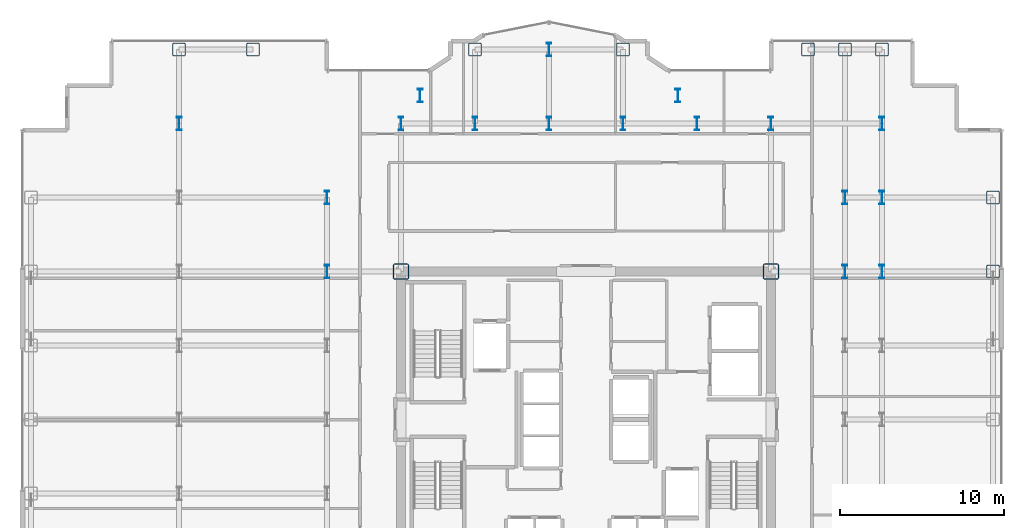
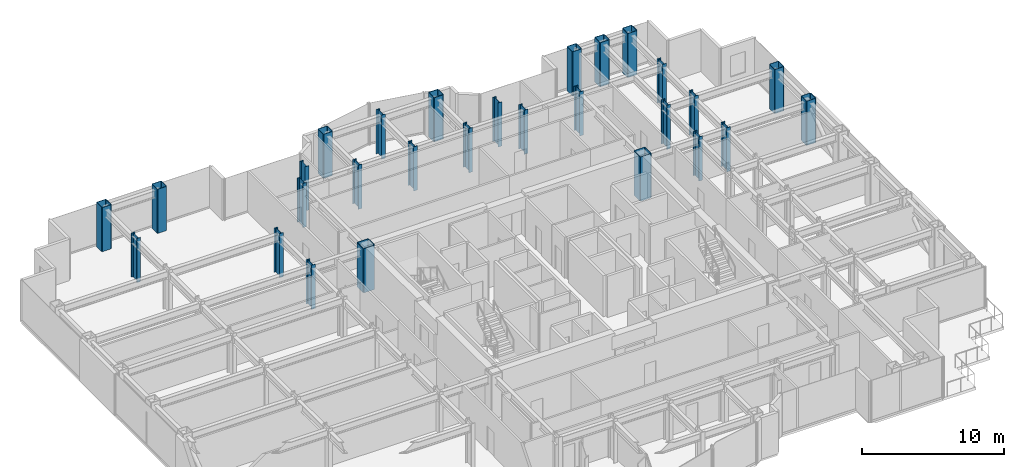
# One storey, part 2 of 27: 28 columns.
"""IFC4 building model written with IfcOpenShell, lengths in metres."""

from ifc_helpers import new_model, si_unit, direction, frame, origin, origin_2d, place, context, subcontext, project, spatial, hollow_rectangle, i_section, extrude, source, transform, mapped, material, material_profile, profile_set, type_object, element, save


model = new_model("IFC4")

# Units and contexts
model_context = context("Model", 3, precision=1e-05, world=origin(), true_north=direction((0.0, 1.0)))
body_context = subcontext(model_context, "Body", "Model", "MODEL_VIEW")
ifc_project = project(units=[si_unit("LENGTHUNIT", "METRE"), si_unit("AREAUNIT", "SQUARE_METRE"), si_unit("VOLUMEUNIT", "CUBIC_METRE"), si_unit("PLANEANGLEUNIT", "RADIAN"), si_unit("MASSUNIT", "GRAM", prefix="KILO")], contexts=[model_context])

# Site, building, storey
site_placement = place(None, origin())
site = spatial("IfcSite", under=ifc_project, at=site_placement, CompositionType="ELEMENT")
building_placement = place(site_placement, origin())
building = spatial("IfcBuilding", under=site, at=building_placement, Name="Nefas-Gora Pilgrimage Tower", CompositionType="ELEMENT")
storey_placement = place(building_placement, frame((0.0, 0.0, 183.0)))
storey = spatial("IfcBuildingStorey", under=building, at=storey_placement, Name="L45", CompositionType="ELEMENT", Elevation=183.0)

# Columns
ifc_material = material(Name="Steel S460", Category="steel")
ifc_material_profile_1 = material_profile(ifc_material, hollow_rectangle(XDim=0.949951171875, YDim=0.949951171875, WallThickness=0.044921875, InnerFilletRadius=0.044921875, OuterFilletRadius=0.090087890625, at=origin_2d()), Name="BOX 950x950x45")
ifc_profile_set_1 = profile_set([ifc_material_profile_1], Name="Steel S460")
column_type_1 = type_object("IfcColumnType", Name="COL-CORE-950", PredefinedType="COLUMN", material=ifc_profile_set_1)
shared_shape_1 = source(origin(), body_context, "Body", "SweptSolid", [
    extrude(hollow_rectangle(XDim=0.949951171875, YDim=0.949951171875, WallThickness=0.044921875, InnerFilletRadius=0.044921875, OuterFilletRadius=0.090087890625, at=origin_2d()), origin(), (0.0, 0.0, 1.0), 3.800048828125),
])
for number, where, z_axis, x_axis, name in (
    (1, (-11.25, 9.0, 0.0), (0.0, 0.0, 1.0), (1.0, 0.0, 0.0), "L45 Tower Column CC-Z1.30"),
    (2, (11.25, 9.0, 0.0), (0.0, 0.0, 1.0), (1.0, 0.0, 0.0), "L45 Tower Column CC-Z1.52"),
):
    element("IfcColumn", number, at=place(storey_placement, frame(where, z_axis=z_axis, x_axis=x_axis)), inside=storey, type_object=column_type_1, Name=name, PredefinedType="COLUMN", context=body_context, shape_type="MappedRepresentation", body=[
        mapped(shared_shape_1, transform((0.0, 0.0, 0.0), x_axis=(1.0, 0.0, 0.0), y_axis=(0.0, 1.0, 0.0), z_axis=(0.0, 0.0, 1.0), scale=1.0)),
    ])
ifc_material_profile_2 = material_profile(ifc_material, hollow_rectangle(XDim=0.800048828125, YDim=0.800048828125, WallThickness=0.0400390625, InnerFilletRadius=0.0400390625, OuterFilletRadius=0.080078125, at=origin_2d()), Name="BOX 800x800x40")
ifc_profile_set_2 = profile_set([ifc_material_profile_2], Name="Steel S460")
column_type_2 = type_object("IfcColumnType", Name="COL-TUBE-800", PredefinedType="COLUMN", material=ifc_profile_set_2)
shared_shape_2 = source(origin(), body_context, "Body", "SweptSolid", [
    extrude(hollow_rectangle(XDim=0.800048828125, YDim=0.800048828125, WallThickness=0.0400390625, InnerFilletRadius=0.0400390625, OuterFilletRadius=0.080078125, at=origin_2d()), origin(), (0.0, 0.0, 1.0), 3.800048828125),
])
for number, where, z_axis, x_axis, name in (
    (3, (-24.75, 22.5, 0.0), (0.0, 0.0, 1.0), (1.0, 0.0, 0.0), "L45 Tower Column C-Z2.18"),
    (4, (-20.25, 22.5, 0.0), (0.0, 0.0, 1.0), (1.0, 0.0, 0.0), "L45 Tower Column C-Z2.20"),
    (5, (-6.75, 22.5, 0.0), (0.0, 0.0, 1.0), (1.0, 0.0, 0.0), "L45 Tower Column C-Z2.37"),
    (6, (2.25, 22.5, 0.0), (0.0, 0.0, 1.0), (1.0, 0.0, 0.0), "L45 Tower Column C-Z2.45"),
    (7, (13.5, 22.5, 0.0), (0.0, 0.0, 1.0), (1.0, 0.0, 0.0), "L45 Tower Column C-Z2.55"),
    (8, (15.75, 22.5, 0.0), (0.0, 0.0, 1.0), (1.0, 0.0, 0.0), "L45 Tower Column C-Z2.64"),
    (9, (18.0, 22.5, 0.0), (0.0, 0.0, 1.0), (1.0, 0.0, 0.0), "L45 Tower Column C-Z2.73"),
    (10, (24.75, 9.0, 0.0), (0.0, 0.0, 1.0), (1.0, 0.0, 0.0), "L45 Tower Column C-Z2.79"),
    (11, (24.75, 13.5, 0.0), (0.0, 0.0, 1.0), (1.0, 0.0, 0.0), "L45 Tower Column C-Z2.80"),
):
    element("IfcColumn", number, at=place(storey_placement, frame(where, z_axis=z_axis, x_axis=x_axis)), inside=storey, type_object=column_type_2, Name=name, PredefinedType="COLUMN", context=body_context, shape_type="MappedRepresentation", body=[
        mapped(shared_shape_2, transform((0.0, 0.0, 0.0), x_axis=(1.0, 0.0, 0.0), y_axis=(0.0, 1.0, 0.0), z_axis=(0.0, 0.0, 1.0), scale=1.0)),
    ])
ifc_material_profile_3 = material_profile(ifc_material, i_section(OverallWidth=0.302978515625, OverallDepth=0.81396484375, WebThickness=0.02099609375, FlangeThickness=0.0400390625, FilletRadius=0.030029296875, at=origin_2d()), Name="HEM 800")
ifc_profile_set_3 = profile_set([ifc_material_profile_3], Name="Steel S460")
column_type_3 = type_object("IfcColumnType", Name="COL-WEB-HEM800", PredefinedType="COLUMN", material=ifc_profile_set_3)
shared_shape_3 = source(origin(), body_context, "Body", "SweptSolid", [
    extrude(i_section(OverallWidth=0.302978515625, OverallDepth=0.81396484375, WebThickness=0.02099609375, FlangeThickness=0.0400390625, FilletRadius=0.030029296875, at=origin_2d()), origin(), (0.0, 0.0, 1.0), 3.800048828125),
])
for number, where, z_axis, x_axis, name in (
    (12, (-24.75, 18.0, 0.0), (0.0, 0.0, 1.0), (1.0, 0.0, 0.0), "L45 Tower Column CW-02.17"),
    (13, (-15.75, 9.0, 0.0), (0.0, 0.0, 1.0), (1.0, 0.0, 0.0), "L45 Tower Column CW-02.26"),
    (14, (-15.75, 13.5, 0.0), (0.0, 0.0, 1.0), (1.0, 0.0, 0.0), "L45 Tower Column CW-02.27"),
    (15, (-11.25, 18.0, 0.0), (0.0, 0.0, 1.0), (1.0, 0.0, 0.0), "L45 Tower Column CW-02.31"),
    (16, (-10.091064453125, 19.696044921875, 0.0), (0.0, 0.0, 1.0), (1.0, 0.0, 0.0), "L45 Tower Column CW-02.33"),
    (17, (-6.75, 18.0, 0.0), (0.0, 0.0, 1.0), (1.0, 0.0, 0.0), "L45 Tower Column CW-02.36"),
    (18, (-2.25, 18.0, 0.0), (0.0, 0.0, 1.0), (1.0, 0.0, 0.0), "L45 Tower Column CW-02.40"),
    (19, (-2.25, 22.5, 0.0), (0.0, 0.0, 1.0), (1.0, 0.0, 0.0), "L45 Tower Column CW-02.41"),
    (20, (2.25, 18.0, 0.0), (0.0, 0.0, 1.0), (1.0, 0.0, 0.0), "L45 Tower Column CW-02.44"),
    (21, (5.591064453125, 19.696044921875, 0.0), (0.0, 0.0, 1.0), (1.0, 0.0, 0.0), "L45 Tower Column CW-02.47"),
    (22, (6.75, 18.0, 0.0), (0.0, 0.0, 1.0), (1.0, 0.0, 0.0), "L45 Tower Column CW-02.49"),
    (23, (11.25, 18.0, 0.0), (0.0, 0.0, 1.0), (1.0, 0.0, 0.0), "L45 Tower Column CW-02.53"),
    (24, (15.75, 9.0, 0.0), (0.0, 0.0, 1.0), (1.0, 0.0, 0.0), "L45 Tower Column CW-02.62"),
    (25, (15.75, 13.5, 0.0), (0.0, 0.0, 1.0), (1.0, 0.0, 0.0), "L45 Tower Column CW-02.63"),
    (26, (18.0, 9.0, 0.0), (0.0, 0.0, 1.0), (1.0, 0.0, 0.0), "L45 Tower Column CW-02.70"),
    (27, (18.0, 13.5, 0.0), (0.0, 0.0, 1.0), (1.0, 0.0, 0.0), "L45 Tower Column CW-02.71"),
    (28, (18.0, 18.0, 0.0), (0.0, 0.0, 1.0), (1.0, 0.0, 0.0), "L45 Tower Column CW-02.72"),
):
    element("IfcColumn", number, at=place(storey_placement, frame(where, z_axis=z_axis, x_axis=x_axis)), inside=storey, type_object=column_type_3, Name=name, PredefinedType="COLUMN", context=body_context, shape_type="MappedRepresentation", body=[
        mapped(shared_shape_3, transform((0.0, 0.0, 0.0), x_axis=(1.0, 0.0, 0.0), y_axis=(0.0, 1.0, 0.0), z_axis=(0.0, 0.0, 1.0), scale=1.0)),
    ])

save(model, "model.ifc")
